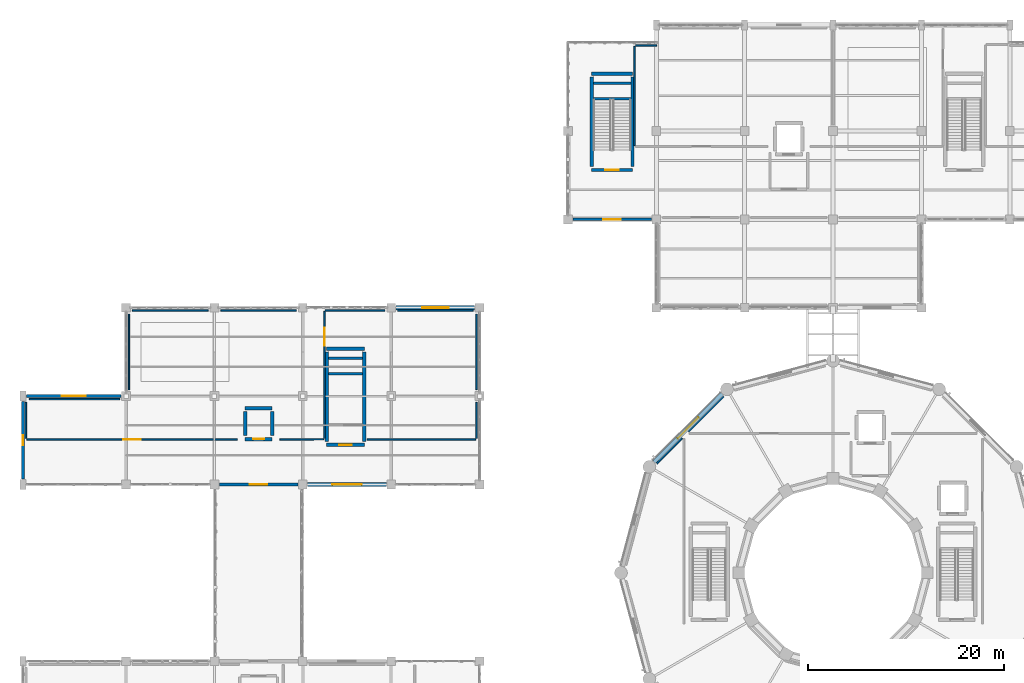
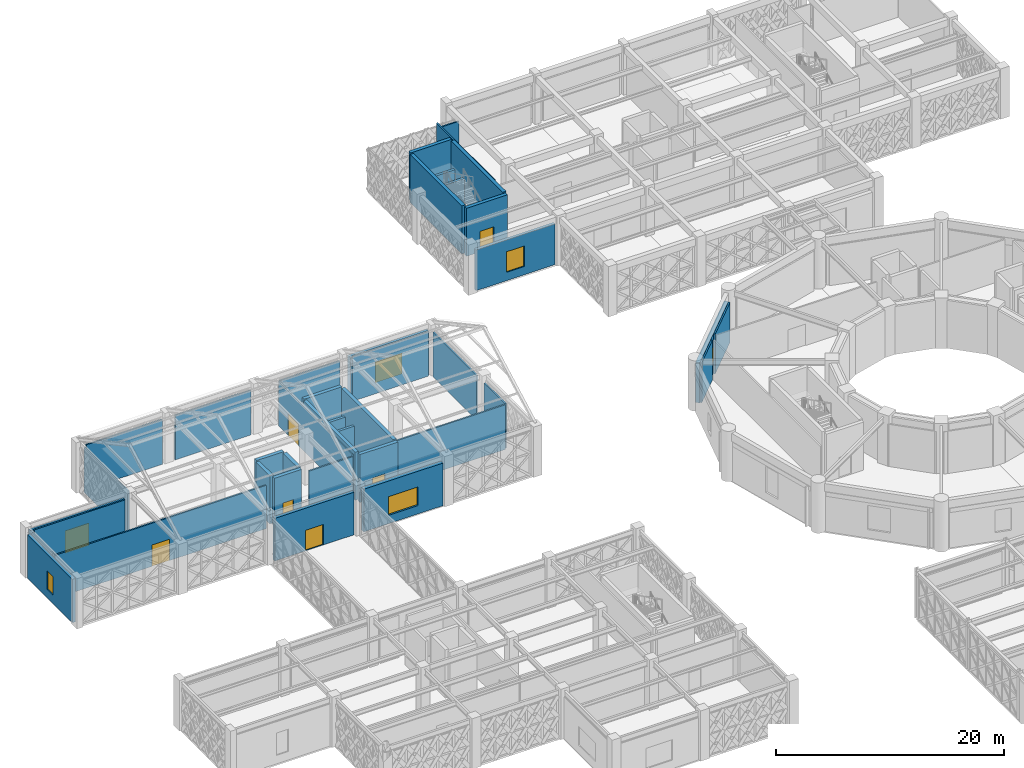
# One storey, part 143 of 166: 40 walls, 6 doors, 6 windows, 12 openings.
"""IFC4 building model written with IfcOpenShell, lengths in metres."""

from ifc_helpers import new_model, si_unit, direction, frame, frame_2d, origin, place, context, subcontext, project, spatial, rectangle, extrude, material, layer, layer_set, type_object, element, fill, save


model = new_model("IFC4")

# Units and contexts
model_context = context("Model", 3, precision=1e-05, world=origin(), true_north=direction((0.0, 1.0)))
body_context = subcontext(model_context, "Body", "Model", "MODEL_VIEW")
ifc_project = project(units=[si_unit("LENGTHUNIT", "METRE"), si_unit("AREAUNIT", "SQUARE_METRE"), si_unit("VOLUMEUNIT", "CUBIC_METRE"), si_unit("PLANEANGLEUNIT", "RADIAN"), si_unit("MASSUNIT", "GRAM", prefix="KILO")], contexts=[model_context])

# Site, building, storey
site_placement = place(None, origin())
site = spatial("IfcSite", under=ifc_project, at=site_placement, CompositionType="ELEMENT")
building_placement = place(site_placement, origin())
building = spatial("IfcBuilding", under=site, at=building_placement, Name="Haizhuo Lancet Aquarium", CompositionType="ELEMENT")
storey_placement = place(building_placement, frame((0.0, 0.0, 5.39990234375)))
storey = spatial("IfcBuildingStorey", under=building, at=storey_placement, Name="L01", CompositionType="ELEMENT", Elevation=5.39990234375)

# Wall, opening, window
ifc_material_1 = material(Name="Shandong Grey Limestone Ashlar", Category="masonry")
ifc_layer_1 = layer(ifc_material_1, 0.280029296875)
ifc_layer_set_1 = layer_set([ifc_layer_1], Name="Shandong Grey Limestone Ashlar")
wall_type_1 = type_object("IfcWallType", Name="EWL-ASH-280", PredefinedType="SOLIDWALL", material=ifc_layer_set_1)
wall_1_placement = place(storey_placement, frame((-82.155029296875, 18.0, 0.0), z_axis=(0.0, 0.0, 1.0), x_axis=(1.0, 0.0, 0.0)))
wall_1 = element("IfcWall", 1, at=wall_1_placement, inside=storey, type_object=wall_type_1, Name="L01 V2 limestone facade wall 55", PredefinedType="SOLIDWALL", context=body_context, shape_type="SweptSolid", body=[
    extrude(rectangle(XDim=9.659912109375, YDim=0.280029296875, at=frame_2d((4.830078125, 0.0))), origin(), (0.0, 0.0, 1.0), 4.650146484375),
])
opening_1_placement = place(wall_1_placement, frame((3.6298828125, 0.0, 0.89990234375)))
opening_1 = element("IfcOpeningElement", 2, at=opening_1_placement, cuts=wall_1, Name="Opening WN-08", PredefinedType="OPENING", context=body_context, shape_type="SweptSolid", body=[
    extrude(rectangle(XDim=2.39990234375, YDim=2.39990234375, at=frame_2d((1.199951171875, 1.199951171875))), frame((0.0, 0.14990234375, 0.0), z_axis=(0.0, -1.0, 0.0), x_axis=(1.0, 0.0, 0.0)), (0.0, 0.0, 1.0), 0.300029),
])
ifc_material_2 = material(Name="Laminated Low-E Glass", Category="glass")
window_type_1 = type_object("IfcWindowType", Name="WIN-LAN-2400x2400", PartitioningType="SINGLE_PANEL", PredefinedType="WINDOW", material=ifc_material_2)
window_1_placement = place(opening_1_placement, origin())
window_1 = element("IfcWindow", 3, at=window_1_placement, inside=storey, type_object=window_type_1, Name="L01 V2 lancet window 48", OverallHeight=2.39990234375, OverallWidth=2.39990234375, PartitioningType="SINGLE_PANEL", PredefinedType="WINDOW", context=body_context, shape_type="SweptSolid", body=[
    extrude(rectangle(XDim=2.39990234375, YDim=2.39990234375, at=frame_2d((1.199951171875, 1.199951171875))), frame((0.0, 0.030029296875, 0.0), z_axis=(0.0, -1.0, 0.0), x_axis=(1.0, 0.0, 0.0)), (0.0, 0.0, 1.0), 0.06005859375),
])
fill(opening_1, window_1)

wall_2_placement = place(storey_placement, frame((-18.4951171875, 36.0, 0.0), z_axis=(0.0, 0.0, 1.0), x_axis=(-1.0, 0.0, 0.0)))
wall_2 = element("IfcWall", 4, at=wall_2_placement, inside=storey, type_object=wall_type_1, Name="L01 V5 limestone facade wall 90", PredefinedType="SOLIDWALL", context=body_context, shape_type="SweptSolid", body=[
    extrude(rectangle(XDim=8.009765625, YDim=0.280029296875, at=frame_2d((4.0048828125, 0.0))), origin(), (0.0, 0.0, 1.0), 4.375),
])
opening_2_placement = place(wall_2_placement, frame((3.10498046875, 0.0, 0.89990234375)))
opening_2 = element("IfcOpeningElement", 5, at=opening_2_placement, cuts=wall_2, Name="Opening WN-06", PredefinedType="OPENING", context=body_context, shape_type="SweptSolid", body=[
    extrude(rectangle(XDim=1.800048828125, YDim=2.199951171875, at=frame_2d((0.89990234375, 1.10009765625))), frame((0.0, 0.14990234375, 0.0), z_axis=(0.0, -1.0, 0.0), x_axis=(1.0, 0.0, 0.0)), (0.0, 0.0, 1.0), 0.300029),
])
window_type_2 = type_object("IfcWindowType", Name="WIN-LAN-1800x2200", PartitioningType="SINGLE_PANEL", PredefinedType="WINDOW", material=ifc_material_2)
window_2_placement = place(opening_2_placement, origin())
window_2 = element("IfcWindow", 6, at=window_2_placement, inside=storey, type_object=window_type_2, Name="L01 V5 lancet window 68", OverallHeight=2.199951171875, OverallWidth=1.800048828125, PartitioningType="SINGLE_PANEL", PredefinedType="WINDOW", context=body_context, shape_type="SweptSolid", body=[
    extrude(rectangle(XDim=1.800048828125, YDim=2.199951171875, at=frame_2d((0.89990234375, 1.10009765625))), frame((0.0, 0.030029296875, 0.0), z_axis=(0.0, -1.0, 0.0), x_axis=(1.0, 0.0, 0.0)), (0.0, 0.0, 1.0), 0.06005859375),
])
fill(opening_2, window_2)

# Wall, opening, door
ifc_layer_2 = layer(ifc_material_1, 0.320068359375)
ifc_layer_set_2 = layer_set([ifc_layer_2], Name="Shandong Grey Limestone Ashlar")
wall_type_2 = type_object("IfcWallType", Name="EWL-ASH-320", PredefinedType="SOLIDWALL", material=ifc_layer_set_2)
wall_3_placement = place(storey_placement, frame((-54.4951171875, 9.0, 0.0), z_axis=(0.0, 0.0, 1.0), x_axis=(-1.0, 0.0, 0.0)))
wall_3 = element("IfcWall", 7, at=wall_3_placement, inside=storey, type_object=wall_type_2, Name="L01 V2 sky-bridge portal wall", PredefinedType="SOLIDWALL", context=body_context, shape_type="SweptSolid", body=[
    extrude(rectangle(XDim=8.009765625, YDim=0.320068359375, at=frame_2d((4.0048828125, 0.0))), origin(), (0.0, 0.0, 1.0), 4.5751953125),
])
opening_3_placement = place(wall_3_placement, frame((3.10498046875, 0.0, 0.0)))
opening_3 = element("IfcOpeningElement", 8, at=opening_3_placement, cuts=wall_3, Name="Opening EX-01", PredefinedType="OPENING", context=body_context, shape_type="SweptSolid", body=[
    extrude(rectangle(XDim=1.800048828125, YDim=2.199951171875, at=frame_2d((0.89990234375, 1.10009765625))), frame((0.0, 0.169921875, 0.0), z_axis=(0.0, -1.0, 0.0), x_axis=(1.0, 0.0, 0.0)), (0.0, 0.0, 1.0), 0.340068),
])
ifc_material_3 = material(Name="Steel S355", Category="steel")
door_type_1 = type_object("IfcDoorType", Name="EDR-EXIT-1800x2200", OperationType="NOTDEFINED", PredefinedType="DOOR", material=ifc_material_3)
door_1_placement = place(opening_3_placement, origin())
door_1 = element("IfcDoor", 9, at=door_1_placement, inside=storey, type_object=door_type_1, Name="L01 V2 sky-bridge vestibule fire door", OperationType="DOUBLE_DOOR_SINGLE_SWING", OverallHeight=2.199951171875, OverallWidth=1.800048828125, PredefinedType="DOOR", context=body_context, shape_type="SweptSolid", body=[
    extrude(rectangle(XDim=1.800048828125, YDim=2.199951171875, at=frame_2d((0.89990234375, 1.10009765625))), frame((0.0, 0.02490234375, 0.0), z_axis=(0.0, -1.0, 0.0), x_axis=(1.0, 0.0, 0.0)), (0.0, 0.0, 1.0), 0.050048828125),
])
fill(opening_3, door_1)

# Wall, opening, window
wall_4_placement = place(storey_placement, frame((-82.5, 9.544921875, 0.0), z_axis=(0.0, 0.0, 1.0), x_axis=(0.0, 1.0, 0.0)))
wall_4 = element("IfcWall", 10, at=wall_4_placement, inside=storey, type_object=wall_type_2, Name="L01 V2 limestone facade wall 59", PredefinedType="SOLIDWALL", context=body_context, shape_type="SweptSolid", body=[
    extrude(rectangle(XDim=7.91015625, YDim=0.320068359375, at=frame_2d((3.955078125, 0.0))), origin(), (0.0, 0.0, 1.0), 4.650146484375),
])
opening_4_placement = place(wall_4_placement, frame((3.429931640625, 0.0, 0.89990234375)))
opening_4 = element("IfcOpeningElement", 11, at=opening_4_placement, cuts=wall_4, Name="Opening WN-12", PredefinedType="OPENING", context=body_context, shape_type="SweptSolid", body=[
    extrude(rectangle(XDim=1.050048828125, YDim=2.0, at=frame_2d((0.52490234375, 1.0))), frame((0.0, 0.169921875, 0.0), z_axis=(0.0, -1.0, 0.0), x_axis=(1.0, 0.0, 0.0)), (0.0, 0.0, 1.0), 0.340068),
])
window_type_3 = type_object("IfcWindowType", Name="WIN-LAN-1050x2000", PartitioningType="SINGLE_PANEL", PredefinedType="WINDOW", material=ifc_material_2)
window_3_placement = place(opening_4_placement, origin())
window_3 = element("IfcWindow", 12, at=window_3_placement, inside=storey, type_object=window_type_3, Name="L01 V2 lancet window 51", OverallHeight=2.0, OverallWidth=1.050048828125, PartitioningType="SINGLE_PANEL", PredefinedType="WINDOW", context=body_context, shape_type="SweptSolid", body=[
    extrude(rectangle(XDim=1.050048828125, YDim=2.0, at=frame_2d((0.52490234375, 1.0))), frame((0.0, 0.030029296875, 0.0), z_axis=(0.0, -1.0, 0.0), x_axis=(1.0, 0.0, 0.0)), (0.0, 0.0, 1.0), 0.06005859375),
])
fill(opening_4, window_3)

ifc_layer_3 = layer(ifc_material_1, 0.39990234375)
ifc_layer_set_3 = layer_set([ifc_layer_3], Name="Shandong Grey Limestone Ashlar")
wall_type_3 = type_object("IfcWallType", Name="EWL-ASH-400", PredefinedType="SOLIDWALL", material=ifc_layer_set_3)
wall_5_placement = place(storey_placement, frame((-18.215087890625, 11.291015625, 0.0), z_axis=(0.0, 0.0, 1.0), x_axis=(0.707106781187, 0.707106781187, 0.0)))
wall_5 = element("IfcWall", 13, at=wall_5_placement, inside=storey, type_object=wall_type_3, Name="L01 V1 limestone drum wall bay 5", PredefinedType="SOLIDWALL", context=body_context, shape_type="SweptSolid", body=[
    extrude(rectangle(XDim=9.792236328125, YDim=0.39990234375, at=frame_2d((4.89599609375, 0.0))), origin(), (0.0, 0.0, 1.0), 4.275146484375),
])
opening_5_placement = place(wall_5_placement, frame((3.39599609375, 0.0, 0.89990234375)))
opening_5 = element("IfcOpeningElement", 14, at=opening_5_placement, cuts=wall_5, Name="Opening WN-10", PredefinedType="OPENING", context=body_context, shape_type="SweptSolid", body=[
    extrude(rectangle(XDim=3.0, YDim=2.0, at=frame_2d((1.5, 1.0))), frame((0.0, 0.2099609375, 0.0), z_axis=(0.0, -1.0, 0.0), x_axis=(1.0, 0.0, 0.0)), (0.0, 0.0, 1.0), 0.419902),
])
window_type_4 = type_object("IfcWindowType", Name="WIN-LAN-3000x2000", PartitioningType="SINGLE_PANEL", PredefinedType="WINDOW", material=ifc_material_2)
window_4_placement = place(opening_5_placement, origin())
window_4 = element("IfcWindow", 15, at=window_4_placement, inside=storey, type_object=window_type_4, Name="L01 Gothic lancet window 13", OverallHeight=2.0, OverallWidth=3.0, PartitioningType="SINGLE_PANEL", PredefinedType="WINDOW", context=body_context, shape_type="SweptSolid", body=[
    extrude(rectangle(XDim=3.0, YDim=2.0, at=frame_2d((1.5, 1.0))), frame((0.0, 0.030029296875, 0.0), z_axis=(0.0, -1.0, 0.0), x_axis=(1.0, 0.0, 0.0)), (0.0, 0.0, 1.0), 0.06005859375),
])
fill(opening_5, window_4)

wall_6_placement = place(storey_placement, frame((-45.4951171875, 9.0, 0.0), z_axis=(0.0, 0.0, 1.0), x_axis=(-1.0, 0.0, 0.0)))
wall_6 = element("IfcWall", 16, at=wall_6_placement, inside=storey, type_object=wall_type_3, Name="L01 V2 limestone facade wall 57", PredefinedType="SOLIDWALL", context=body_context, shape_type="SweptSolid", body=[
    extrude(rectangle(XDim=8.009765625, YDim=0.39990234375, at=frame_2d((4.0048828125, 0.0))), origin(), (0.0, 0.0, 1.0), 4.5751953125),
])
opening_6_placement = place(wall_6_placement, frame((2.5048828125, 0.0, 0.89990234375)))
opening_6 = element("IfcOpeningElement", 17, at=opening_6_placement, cuts=wall_6, Name="Opening WN-10", PredefinedType="OPENING", context=body_context, shape_type="SweptSolid", body=[
    extrude(rectangle(XDim=3.0, YDim=2.0, at=frame_2d((1.5, 1.0))), frame((0.0, 0.2099609375, 0.0), z_axis=(0.0, -1.0, 0.0), x_axis=(1.0, 0.0, 0.0)), (0.0, 0.0, 1.0), 0.419902),
])
window_5_placement = place(opening_6_placement, origin())
window_5 = element("IfcWindow", 18, at=window_5_placement, inside=storey, type_object=window_type_4, Name="L01 V2 lancet window 50", OverallHeight=2.0, OverallWidth=3.0, PartitioningType="SINGLE_PANEL", PredefinedType="WINDOW", context=body_context, shape_type="SweptSolid", body=[
    extrude(rectangle(XDim=3.0, YDim=2.0, at=frame_2d((1.5, 1.0))), frame((0.0, 0.030029296875, 0.0), z_axis=(0.0, -1.0, 0.0), x_axis=(1.0, 0.0, 0.0)), (0.0, 0.0, 1.0), 0.06005859375),
])
fill(opening_6, window_5)

ifc_layer_4 = layer(ifc_material_1, 0.449951171875)
ifc_layer_set_4 = layer_set([ifc_layer_4], Name="Shandong Grey Limestone Ashlar")
wall_type_4 = type_object("IfcWallType", Name="EWL-ASH-450", PredefinedType="SOLIDWALL", material=ifc_layer_set_4)
wall_7_placement = place(storey_placement, frame((-44.5048828125, 27.0, 0.0), z_axis=(0.0, 0.0, 1.0), x_axis=(1.0, 0.0, 0.0)))
wall_7 = element("IfcWall", 19, at=wall_7_placement, inside=storey, type_object=wall_type_4, Name="L01 V2 limestone facade wall 56", PredefinedType="SOLIDWALL", context=body_context, shape_type="SweptSolid", body=[
    extrude(rectangle(XDim=8.009765625, YDim=0.449951171875, at=frame_2d((4.0048828125, 0.0))), origin(), (0.0, 0.0, 1.0), 4.650146484375),
])
opening_7_placement = place(wall_7_placement, frame((2.655029296875, 0.0, 0.89990234375)))
opening_7 = element("IfcOpeningElement", 20, at=opening_7_placement, cuts=wall_7, Name="Opening WN-09", PredefinedType="OPENING", context=body_context, shape_type="SweptSolid", body=[
    extrude(rectangle(XDim=2.699951171875, YDim=2.199951171875, at=frame_2d((1.35009765625, 1.10009765625))), frame((0.0, 0.23486328125, 0.0), z_axis=(0.0, -1.0, 0.0), x_axis=(1.0, 0.0, 0.0)), (0.0, 0.0, 1.0), 0.469951),
])
window_type_5 = type_object("IfcWindowType", Name="WIN-LAN-2700x2200", PartitioningType="SINGLE_PANEL", PredefinedType="WINDOW", material=ifc_material_2)
window_6_placement = place(opening_7_placement, origin())
window_6 = element("IfcWindow", 21, at=window_6_placement, inside=storey, type_object=window_type_5, Name="L01 V2 lancet window 49", OverallHeight=2.199951171875, OverallWidth=2.699951171875, PartitioningType="SINGLE_PANEL", PredefinedType="WINDOW", context=body_context, shape_type="SweptSolid", body=[
    extrude(rectangle(XDim=2.699951171875, YDim=2.199951171875, at=frame_2d((1.35009765625, 1.10009765625))), frame((0.0, 0.030029296875, 0.0), z_axis=(0.0, -1.0, 0.0), x_axis=(1.0, 0.0, 0.0)), (0.0, 0.0, 1.0), 0.06005859375),
])
fill(opening_7, window_6)

# Walls
ifc_material_4 = material(Name="Gypsum Fireboard Partition")
ifc_layer_5 = layer(ifc_material_4, 0.14990234375)
ifc_layer_set_5 = layer_set([ifc_layer_5], Name="Gypsum Fireboard Partition")
wall_type_5 = type_object("IfcWallType", Name="IWL-STD-150", PredefinedType="PARTITIONING", material=ifc_layer_set_5)
wall_8_placement = place(storey_placement, frame((-15.37109375, 13.7109375, 0.0), z_axis=(0.0, 0.0, 1.0), x_axis=(-0.706972707094, -0.707240829862, 0.0)))
element("IfcWall", 22, at=wall_8_placement, inside=storey, type_object=wall_type_5, Name="L01 partition wall 226", PredefinedType="PARTITIONING", context=body_context, shape_type="SweptSolid", body=[
    extrude(rectangle(XDim=3.642333984375, YDim=0.14990234375, at=frame_2d((1.8212890625, 0.0))), origin(), (0.0, 0.0, 1.0), 4.275146484375),
])
wall_9_placement = place(storey_placement, frame((-11.135986328125, 17.946044921875, 0.0), z_axis=(0.0, 0.0, 1.0), x_axis=(-0.707106781187, -0.707106781187, 0.0)))
element("IfcWall", 23, at=wall_9_placement, inside=storey, type_object=wall_type_5, Name="L01 partition wall 233", PredefinedType="PARTITIONING", context=body_context, shape_type="SweptSolid", body=[
    extrude(rectangle(XDim=5.0556640625, YDim=0.14990234375, at=frame_2d((2.52783203125, 0.0))), origin(), (0.0, 0.0, 1.0), 4.275146484375),
])
wall_10_placement = place(storey_placement, frame((-82.199951171875, 17.35009765625, 0.0), z_axis=(0.0, 0.0, 1.0), x_axis=(0.0, -1.0, 0.0)))
element("IfcWall", 24, at=wall_10_placement, inside=storey, type_object=wall_type_5, Name="L01 partition wall 234", PredefinedType="PARTITIONING", context=body_context, shape_type="SweptSolid", body=[
    extrude(rectangle(XDim=3.650146484375, YDim=0.14990234375, at=frame_2d((1.8251953125, 0.0))), origin(), (0.0, 0.0, 1.0), 4.78515625),
])

# Wall, opening, door
wall_11_placement = place(storey_placement, frame((-82.110107421875, 13.60009765625, 0.0), z_axis=(0.0, 0.0, 1.0), x_axis=(1.0, 0.0, 0.0)))
wall_11 = element("IfcWall", 25, at=wall_11_placement, inside=storey, type_object=wall_type_5, Name="L01 partition wall 235", PredefinedType="PARTITIONING", context=body_context, shape_type="SweptSolid", body=[
    extrude(rectangle(XDim=21.43505859375, YDim=0.14990234375, at=frame_2d((10.717529296875, 0.0))), origin(), (0.0, 0.0, 1.0), 4.635009765625),
])
opening_8_placement = place(wall_11_placement, frame((9.818115234375, 0.0, 0.0)))
opening_8 = element("IfcOpeningElement", 26, at=opening_8_placement, cuts=wall_11, Name="Opening D-02", PredefinedType="OPENING", context=body_context, shape_type="SweptSolid", body=[
    extrude(rectangle(XDim=1.800048828125, YDim=2.300048828125, at=frame_2d((0.89990234375, 1.14990234375))), frame((0.0, 0.0849609375, 0.0), z_axis=(0.0, -1.0, 0.0), x_axis=(1.0, 0.0, 0.0)), (0.0, 0.0, 1.0), 0.169902),
])
ifc_material_5 = material(Name="Aluminium 6063-T6", Category="aluminium")
door_type_2 = type_object("IfcDoorType", Name="IDR-GAL-1800x2300", OperationType="NOTDEFINED", PredefinedType="DOOR", material=ifc_material_5)
door_2_placement = place(opening_8_placement, origin())
door_2 = element("IfcDoor", 27, at=door_2_placement, inside=storey, type_object=door_type_2, Name="L01 Upper Viewing Tunnel Overlook door", OperationType="DOUBLE_DOOR_SINGLE_SWING", OverallHeight=2.300048828125, OverallWidth=1.800048828125, PredefinedType="DOOR", context=body_context, shape_type="SweptSolid", body=[
    extrude(rectangle(XDim=1.800048828125, YDim=2.300048828125, at=frame_2d((0.89990234375, 1.14990234375))), frame((0.0, 0.02490234375, 0.0), z_axis=(0.0, -1.0, 0.0), x_axis=(1.0, 0.0, 0.0)), (0.0, 0.0, 1.0), 0.050048828125),
])
fill(opening_8, door_2)

# Wall
wall_12_placement = place(storey_placement, frame((-56.324951171875, 13.60107421875, 0.0), z_axis=(0.0, 0.0, 1.0), x_axis=(0.999999783658, 0.000657786406, 0.0)))
element("IfcWall", 28, at=wall_12_placement, inside=storey, type_object=wall_type_5, Name="L01 partition wall 236", PredefinedType="PARTITIONING", context=body_context, shape_type="SweptSolid", body=[
    extrude(rectangle(XDim=4.453857421875, YDim=0.14990234375, at=frame_2d((2.22705078125, 0.0))), origin(), (0.0, 0.0, 1.0), 4.635009765625),
])

# Wall, opening, door
wall_13_placement = place(storey_placement, frame((-51.800048828125, 13.699951171875, 0.0), z_axis=(0.0, 0.0, 1.0), x_axis=(-0.000302131905, 0.999999954358, 0.0)))
wall_13 = element("IfcWall", 29, at=wall_13_placement, inside=storey, type_object=wall_type_5, Name="L01 partition wall 237", PredefinedType="PARTITIONING", context=body_context, shape_type="SweptSolid", body=[
    extrude(rectangle(XDim=12.928955078125, YDim=0.14990234375, at=frame_2d((6.46435546875, 0.0))), origin(), (0.0, 0.0, 1.0), 4.78515625),
])
opening_9_placement = place(wall_13_placement, frame((9.443115234375, 0.0, 0.0)))
opening_9 = element("IfcOpeningElement", 30, at=opening_9_placement, cuts=wall_13, Name="Opening D-02", PredefinedType="OPENING", context=body_context, shape_type="SweptSolid", body=[
    extrude(rectangle(XDim=1.800048828125, YDim=2.300048828125, at=frame_2d((0.89990234375, 1.14990234375))), frame((0.0, 0.0849609375, 0.0), z_axis=(0.0, -1.0, 0.0), x_axis=(1.0, 0.0, 0.0)), (0.0, 0.0, 1.0), 0.169902),
])
door_3_placement = place(opening_9_placement, origin())
door_3 = element("IfcDoor", 31, at=door_3_placement, inside=storey, type_object=door_type_2, Name="L01 Cold Seep Reef Exhibit Gallery door", OperationType="DOUBLE_DOOR_SINGLE_SWING", OverallHeight=2.300048828125, OverallWidth=1.800048828125, PredefinedType="DOOR", context=body_context, shape_type="SweptSolid", body=[
    extrude(rectangle(XDim=1.800048828125, YDim=2.300048828125, at=frame_2d((0.89990234375, 1.14990234375))), frame((0.0, 0.02490234375, 0.0), z_axis=(0.0, -1.0, 0.0), x_axis=(1.0, 0.0, 0.0)), (0.0, 0.0, 1.0), 0.050048828125),
])
fill(opening_9, door_3)

# Walls
wall_14_placement = place(storey_placement, frame((-54.64990234375, 26.699951171875, 0.0), z_axis=(0.0, 0.0, 1.0), x_axis=(-1.0, 0.0, 0.0)))
element("IfcWall", 32, at=wall_14_placement, inside=storey, type_object=wall_type_5, Name="L01 partition wall 238", PredefinedType="PARTITIONING", context=body_context, shape_type="SweptSolid", body=[
    extrude(rectangle(XDim=7.7001953125, YDim=0.14990234375, at=frame_2d((3.85009765625, 0.0))), origin(), (0.0, 0.0, 1.0), 4.78515625),
])
wall_15_placement = place(storey_placement, frame((-63.64990234375, 26.699951171875, 0.0), z_axis=(0.0, 0.0, 1.0), x_axis=(-0.999999871661, -0.00050663367, 0.0)))
element("IfcWall", 33, at=wall_15_placement, inside=storey, type_object=wall_type_5, Name="L01 partition wall 239", PredefinedType="PARTITIONING", context=body_context, shape_type="SweptSolid", body=[
    extrude(rectangle(XDim=7.710205078125, YDim=0.14990234375, at=frame_2d((3.85498046875, 0.0))), origin(), (0.0, 0.0, 1.0), 4.78515625),
])
wall_16_placement = place(storey_placement, frame((-71.699951171875, 26.35009765625, 0.0), z_axis=(0.0, 0.0, 1.0), x_axis=(0.0, -1.0, 0.0)))
element("IfcWall", 34, at=wall_16_placement, inside=storey, type_object=wall_type_5, Name="L01 partition wall 240", PredefinedType="PARTITIONING", context=body_context, shape_type="SweptSolid", body=[
    extrude(rectangle(XDim=7.7001953125, YDim=0.14990234375, at=frame_2d((3.85009765625, 0.0))), origin(), (0.0, 0.0, 1.0), 4.78515625),
])
wall_17_placement = place(storey_placement, frame((-72.64990234375, 17.699951171875, 0.0), z_axis=(0.0, 0.0, 1.0), x_axis=(-1.0, 0.0, 0.0)))
element("IfcWall", 35, at=wall_17_placement, inside=storey, type_object=wall_type_5, Name="L01 partition wall 241", PredefinedType="PARTITIONING", context=body_context, shape_type="SweptSolid", body=[
    extrude(rectangle(XDim=9.2001953125, YDim=0.14990234375, at=frame_2d((4.60009765625, 0.0))), origin(), (0.0, 0.0, 1.0), 4.78515625),
])
wall_18_placement = place(storey_placement, frame((-47.449951171875, 13.60009765625, 0.0), z_axis=(0.0, 0.0, 1.0), x_axis=(1.0, 0.0, 0.0)))
element("IfcWall", 36, at=wall_18_placement, inside=storey, type_object=wall_type_5, Name="L01 partition wall 242", PredefinedType="PARTITIONING", context=body_context, shape_type="SweptSolid", body=[
    extrude(rectangle(XDim=11.050048828125, YDim=0.14990234375, at=frame_2d((5.52490234375, 0.0))), origin(), (0.0, 0.0, 1.0), 4.78515625),
])
wall_19_placement = place(storey_placement, frame((-36.300048828125, 13.699951171875, 0.0), z_axis=(0.0, 0.0, 1.0), x_axis=(0.0, 1.0, 0.0)))
element("IfcWall", 37, at=wall_19_placement, inside=storey, type_object=wall_type_5, Name="L01 partition wall 243", PredefinedType="PARTITIONING", context=body_context, shape_type="SweptSolid", body=[
    extrude(rectangle(XDim=3.650146484375, YDim=0.14990234375, at=frame_2d((1.8251953125, 0.0))), origin(), (0.0, 0.0, 1.0), 4.78515625),
])
for number, where, z_axis, x_axis, name in (
    (38, (-36.300048828125, 18.64990234375, 0.0), (0.0, 0.0, 1.0), (0.0, 1.0, 0.0), "L01 partition wall 244"),
    (39, (-36.64990234375, 26.699951171875, 0.0), (0.0, 0.0, 1.0), (-1.0, 0.0, 0.0), "L01 partition wall 245"),
):
    element("IfcWall", number, at=place(storey_placement, frame(where, z_axis=z_axis, x_axis=x_axis)), inside=storey, type_object=wall_type_5, Name=name, PredefinedType="PARTITIONING", context=body_context, shape_type="SweptSolid", body=[
        extrude(rectangle(XDim=7.7001953125, YDim=0.14990234375, at=frame_2d((3.85009765625, 0.0))), origin(), (0.0, 0.0, 1.0), 4.78515625),
    ])
wall_20_placement = place(storey_placement, frame((-45.64990234375, 26.699951171875, 0.0), z_axis=(0.0, 0.0, 1.0), x_axis=(-0.999999948234, -0.000321763246, 0.0)))
element("IfcWall", 40, at=wall_20_placement, inside=storey, type_object=wall_type_5, Name="L01 partition wall 246", PredefinedType="PARTITIONING", context=body_context, shape_type="SweptSolid", body=[
    extrude(rectangle(XDim=6.070068359375, YDim=0.14990234375, at=frame_2d((3.03515625, 0.0))), origin(), (0.0, 0.0, 1.0), 4.78515625),
])
wall_21_placement = place(storey_placement, frame((-20.197998046875, 53.6201171875, 0.0), z_axis=(0.0, 0.0, 1.0), x_axis=(-0.000192994303, -0.999999981377, 0.0)))
element("IfcWall", 41, at=wall_21_placement, inside=storey, type_object=wall_type_5, Name="L01 partition wall 283", PredefinedType="PARTITIONING", context=body_context, shape_type="SweptSolid", body=[
    extrude(rectangle(XDim=10.1201171875, YDim=0.14990234375, at=frame_2d((5.06005859375, 0.0))), origin(), (0.0, 0.0, 1.0), 5.050048828125),
])
wall_22_placement = place(storey_placement, frame((-17.972900390625, 53.700927734375, 0.0), z_axis=(0.0, 0.0, 1.0), x_axis=(-0.999999894621, -0.000459084079, 0.0)))
element("IfcWall", 42, at=wall_22_placement, inside=storey, type_object=wall_type_5, Name="L01 partition wall 289", PredefinedType="PARTITIONING", context=body_context, shape_type="SweptSolid", body=[
    extrude(rectangle(XDim=2.127197265625, YDim=0.14990234375, at=frame_2d((1.0634765625, 0.0))), origin(), (0.0, 0.0, 1.0), 4.425048828125),
])
ifc_material_6 = material(Name="Concrete C40/50", Category="concrete")
ifc_layer_6 = layer(ifc_material_6, 0.35009765625)
ifc_layer_set_6 = layer_set([ifc_layer_6], Name="Concrete C40/50")
wall_type_6 = type_object("IfcWallType", Name="WL-CORE-350", PredefinedType="SHEAR", material=ifc_layer_set_6)
for number, where, z_axis, x_axis, name in (
    (43, (-51.39990234375, 20.27490234375, 0.0), (0.0, 0.0, 1.0), (1.0, 0.0, 0.0), "L01 ST-03 landing support wall"),
    (44, (-51.39990234375, 21.875, 0.0), (0.0, 0.0, 1.0), (1.0, 0.0, 0.0), "L01 ST-03 far landing support wall"),
):
    element("IfcWall", number, at=place(storey_placement, frame(where, z_axis=z_axis, x_axis=x_axis)), inside=storey, type_object=wall_type_6, Name=name, PredefinedType="SHEAR", context=body_context, shape_type="SweptSolid", body=[
        extrude(rectangle(XDim=3.5, YDim=0.25, at=frame_2d((1.75, 0.0))), origin(), (0.0, 0.0, 1.0), 2.5),
    ])

# Wall, opening, door
wall_23_placement = place(storey_placement, frame((-51.574951171875, 13.02490234375, 0.0), z_axis=(0.0, 0.0, 1.0), x_axis=(1.0, 0.0, 0.0)))
wall_23 = element("IfcWall", 45, at=wall_23_placement, inside=storey, type_object=wall_type_6, Name="L01 ST-03 core shear wall S", PredefinedType="SHEAR", context=body_context, shape_type="SweptSolid", body=[
    extrude(rectangle(XDim=3.849853515625, YDim=0.35009765625, at=frame_2d((1.9248046875, 0.0))), origin(), (0.0, 0.0, 1.0), 5.150146484375),
])
opening_10_placement = place(wall_23_placement, frame((1.27490234375, 0.0, 0.0)))
opening_10 = element("IfcOpeningElement", 46, at=opening_10_placement, cuts=wall_23, Name="Opening FD-02", PredefinedType="OPENING", context=body_context, shape_type="SweptSolid", body=[
    extrude(rectangle(XDim=1.300048828125, YDim=2.199951171875, at=frame_2d((0.64990234375, 1.10009765625))), frame((0.0, 0.18505859375, 0.0), z_axis=(0.0, -1.0, 0.0), x_axis=(1.0, 0.0, 0.0)), (0.0, 0.0, 1.0), 0.370098),
])
door_type_3 = type_object("IfcDoorType", Name="IDR-STAIR-1300x2200", OperationType="NOTDEFINED", PredefinedType="DOOR", material=ifc_material_3)
door_4_placement = place(opening_10_placement, origin())
door_4 = element("IfcDoor", 47, at=door_4_placement, inside=storey, type_object=door_type_3, Name="L01 ST-03 stairwell fire door", OperationType="SINGLE_SWING_LEFT", OverallHeight=2.199951171875, OverallWidth=1.300048828125, PredefinedType="DOOR", context=body_context, shape_type="SweptSolid", body=[
    extrude(rectangle(XDim=1.300048828125, YDim=2.199951171875, at=frame_2d((0.64990234375, 1.10009765625))), frame((0.0, 0.02490234375, 0.0), z_axis=(0.0, -1.0, 0.0), x_axis=(1.0, 0.0, 0.0)), (0.0, 0.0, 1.0), 0.050048828125),
])
fill(opening_10, door_4)

# Walls
wall_24_placement = place(storey_placement, frame((-51.574951171875, 22.824951171875, 0.0), z_axis=(0.0, 0.0, 1.0), x_axis=(1.0, 0.0, 0.0)))
element("IfcWall", 48, at=wall_24_placement, inside=storey, type_object=wall_type_6, Name="L01 ST-03 core shear wall N", PredefinedType="SHEAR", context=body_context, shape_type="SweptSolid", body=[
    extrude(rectangle(XDim=3.849853515625, YDim=0.35009765625, at=frame_2d((1.9248046875, 0.0))), origin(), (0.0, 0.0, 1.0), 5.150146484375),
])
for number, where, z_axis, x_axis, name in (
    (49, (-51.574951171875, 13.375, 0.0), (0.0, 0.0, 1.0), (0.0, 1.0, 0.0), "L01 ST-03 core shear wall W"),
    (50, (-47.72509765625, 13.375, 0.0), (0.0, 0.0, 1.0), (0.0, 1.0, 0.0), "L01 ST-03 core shear wall E"),
):
    element("IfcWall", number, at=place(storey_placement, frame(where, z_axis=z_axis, x_axis=x_axis)), inside=storey, type_object=wall_type_6, Name=name, PredefinedType="SHEAR", context=body_context, shape_type="SweptSolid", body=[
        extrude(rectangle(XDim=9.10009765625, YDim=0.35009765625, at=frame_2d((4.550048828125, 0.0))), origin(), (0.0, 0.0, 1.0), 5.150146484375),
    ])
for number, where, z_axis, x_axis, name in (
    (51, (-24.39990234375, 48.27490234375, 0.0), (0.0, 0.0, 1.0), (1.0, 0.0, 0.0), "L01 ST-07 landing support wall"),
    (52, (-24.39990234375, 49.875, 0.0), (0.0, 0.0, 1.0), (1.0, 0.0, 0.0), "L01 ST-07 far landing support wall"),
):
    element("IfcWall", number, at=place(storey_placement, frame(where, z_axis=z_axis, x_axis=x_axis)), inside=storey, type_object=wall_type_6, Name=name, PredefinedType="SHEAR", context=body_context, shape_type="SweptSolid", body=[
        extrude(rectangle(XDim=3.7998046875, YDim=0.25, at=frame_2d((1.89990234375, 0.0))), origin(), (0.0, 0.0, 1.0), 2.5),
    ])

# Wall, opening, door
wall_25_placement = place(storey_placement, frame((-24.574951171875, 41.02490234375, 0.0), z_axis=(0.0, 0.0, 1.0), x_axis=(1.0, 0.0, 0.0)))
wall_25 = element("IfcWall", 53, at=wall_25_placement, inside=storey, type_object=wall_type_6, Name="L01 ST-07 core shear wall S", PredefinedType="SHEAR", context=body_context, shape_type="SweptSolid", body=[
    extrude(rectangle(XDim=4.14990234375, YDim=0.35009765625, at=frame_2d((2.074951171875, 0.0))), origin(), (0.0, 0.0, 1.0), 5.150146484375),
])
opening_11_placement = place(wall_25_placement, frame((1.375, 0.0, 0.0)))
opening_11 = element("IfcOpeningElement", 54, at=opening_11_placement, cuts=wall_25, Name="Opening FD-01", PredefinedType="OPENING", context=body_context, shape_type="SweptSolid", body=[
    extrude(rectangle(XDim=1.39990234375, YDim=2.199951171875, at=frame_2d((0.699951171875, 1.10009765625))), frame((0.0, 0.18505859375, 0.0), z_axis=(0.0, -1.0, 0.0), x_axis=(1.0, 0.0, 0.0)), (0.0, 0.0, 1.0), 0.370098),
])
door_type_4 = type_object("IfcDoorType", Name="IDR-STAIR-1400x2200", OperationType="NOTDEFINED", PredefinedType="DOOR", material=ifc_material_3)
door_5_placement = place(opening_11_placement, origin())
door_5 = element("IfcDoor", 55, at=door_5_placement, inside=storey, type_object=door_type_4, Name="L01 ST-07 stairwell fire door", OperationType="SINGLE_SWING_LEFT", OverallHeight=2.199951171875, OverallWidth=1.39990234375, PredefinedType="DOOR", context=body_context, shape_type="SweptSolid", body=[
    extrude(rectangle(XDim=1.39990234375, YDim=2.199951171875, at=frame_2d((0.699951171875, 1.10009765625))), frame((0.0, 0.02490234375, 0.0), z_axis=(0.0, -1.0, 0.0), x_axis=(1.0, 0.0, 0.0)), (0.0, 0.0, 1.0), 0.050048828125),
])
fill(opening_11, door_5)

# Walls
wall_26_placement = place(storey_placement, frame((-24.574951171875, 50.824951171875, 0.0), z_axis=(0.0, 0.0, 1.0), x_axis=(1.0, 0.0, 0.0)))
element("IfcWall", 56, at=wall_26_placement, inside=storey, type_object=wall_type_6, Name="L01 ST-07 core shear wall N", PredefinedType="SHEAR", context=body_context, shape_type="SweptSolid", body=[
    extrude(rectangle(XDim=4.14990234375, YDim=0.35009765625, at=frame_2d((2.074951171875, 0.0))), origin(), (0.0, 0.0, 1.0), 5.150146484375),
])
for number, where, z_axis, x_axis, name in (
    (57, (-24.574951171875, 41.375, 0.0), (0.0, 0.0, 1.0), (0.0, 1.0, 0.0), "L01 ST-07 core shear wall W"),
    (58, (-20.425048828125, 41.375, 0.0), (0.0, 0.0, 1.0), (0.0, 1.0, 0.0), "L01 ST-07 core shear wall E"),
):
    element("IfcWall", number, at=place(storey_placement, frame(where, z_axis=z_axis, x_axis=x_axis)), inside=storey, type_object=wall_type_6, Name=name, PredefinedType="SHEAR", context=body_context, shape_type="SweptSolid", body=[
        extrude(rectangle(XDim=9.10009765625, YDim=0.35009765625, at=frame_2d((4.550048828125, 0.0))), origin(), (0.0, 0.0, 1.0), 5.150146484375),
    ])

# Wall, opening, door
wall_27_placement = place(storey_placement, frame((-59.875, 13.625, 0.0), z_axis=(0.0, 0.0, 1.0), x_axis=(1.0, 0.0, 0.0)))
wall_27 = element("IfcWall", 59, at=wall_27_placement, inside=storey, type_object=wall_type_6, Name="L01 LP-04 lift shaft wall -Y", PredefinedType="SHEAR", context=body_context, shape_type="SweptSolid", body=[
    extrude(rectangle(XDim=2.75, YDim=0.35009765625, at=frame_2d((1.375, 0.0))), origin(), (0.0, 0.0, 1.0), 5.150146484375),
])
opening_12_placement = place(wall_27_placement, frame((0.824951171875, 0.0, 0.0)))
opening_12 = element("IfcOpeningElement", 60, at=opening_12_placement, cuts=wall_27, Name="Opening LD-01", PredefinedType="OPENING", context=body_context, shape_type="SweptSolid", body=[
    extrude(rectangle(XDim=1.10009765625, YDim=2.199951171875, at=frame_2d((0.550048828125, 1.10009765625))), frame((0.0, 0.18505859375, 0.0), z_axis=(0.0, -1.0, 0.0), x_axis=(1.0, 0.0, 0.0)), (0.0, 0.0, 1.0), 0.370098),
])
door_type_5 = type_object("IfcDoorType", Name="IDR-LIFT-1100x2200", OperationType="NOTDEFINED", PredefinedType="DOOR", material=ifc_material_3)
door_6_placement = place(opening_12_placement, origin())
door_6 = element("IfcDoor", 61, at=door_6_placement, inside=storey, type_object=door_type_5, Name="L01 LP-04 sliding lift landing door", OperationType="DOUBLE_DOOR_SLIDING", OverallHeight=2.199951171875, OverallWidth=1.10009765625, PredefinedType="DOOR", context=body_context, shape_type="SweptSolid", body=[
    extrude(rectangle(XDim=1.10009765625, YDim=2.199951171875, at=frame_2d((0.550048828125, 1.10009765625))), frame((0.0, 0.02490234375, 0.0), z_axis=(0.0, -1.0, 0.0), x_axis=(1.0, 0.0, 0.0)), (0.0, 0.0, 1.0), 0.050048828125),
])
fill(opening_12, door_6)

# Walls
wall_28_placement = place(storey_placement, frame((-57.125, 16.77490234375, 0.0), z_axis=(0.0, 0.0, 1.0), x_axis=(-1.0, 0.0, 0.0)))
element("IfcWall", 62, at=wall_28_placement, inside=storey, type_object=wall_type_6, Name="L01 LP-04 lift shaft wall +Y", PredefinedType="SHEAR", context=body_context, shape_type="SweptSolid", body=[
    extrude(rectangle(XDim=2.75, YDim=0.35009765625, at=frame_2d((1.375, 0.0))), origin(), (0.0, 0.0, 1.0), 5.150146484375),
])
for number, where, z_axis, x_axis, name in (
    (63, (-59.875, 13.97509765625, 0.0), (0.0, 0.0, 1.0), (0.0, 1.0, 0.0), "L01 LP-04 lift shaft wall -X"),
    (64, (-57.125, 13.97509765625, 0.0), (0.0, 0.0, 1.0), (0.0, 1.0, 0.0), "L01 LP-04 lift shaft wall +X"),
):
    element("IfcWall", number, at=place(storey_placement, frame(where, z_axis=z_axis, x_axis=x_axis)), inside=storey, type_object=wall_type_6, Name=name, PredefinedType="SHEAR", context=body_context, shape_type="SweptSolid", body=[
        extrude(rectangle(XDim=2.449951171875, YDim=0.35009765625, at=frame_2d((1.22509765625, 0.0))), origin(), (0.0, 0.0, 1.0), 5.150146484375),
    ])

save(model, "model.ifc")
